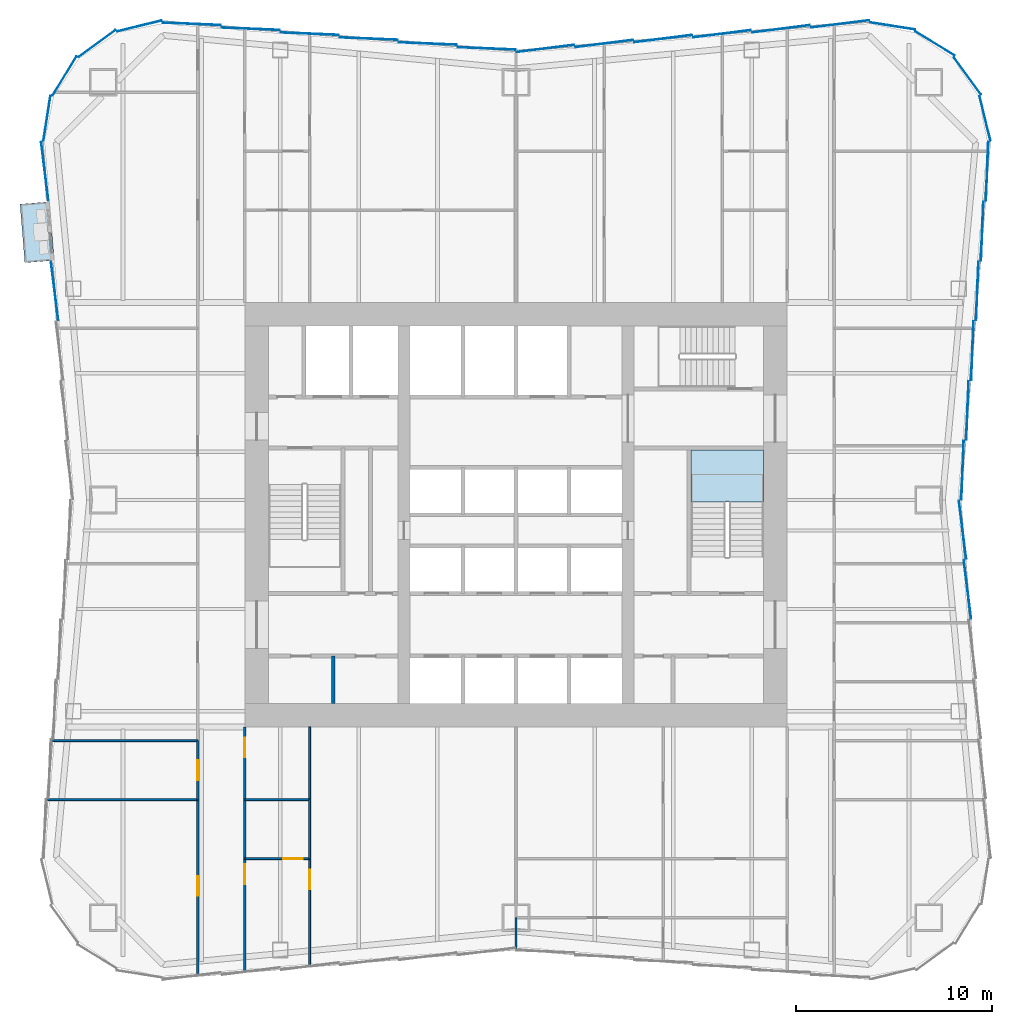
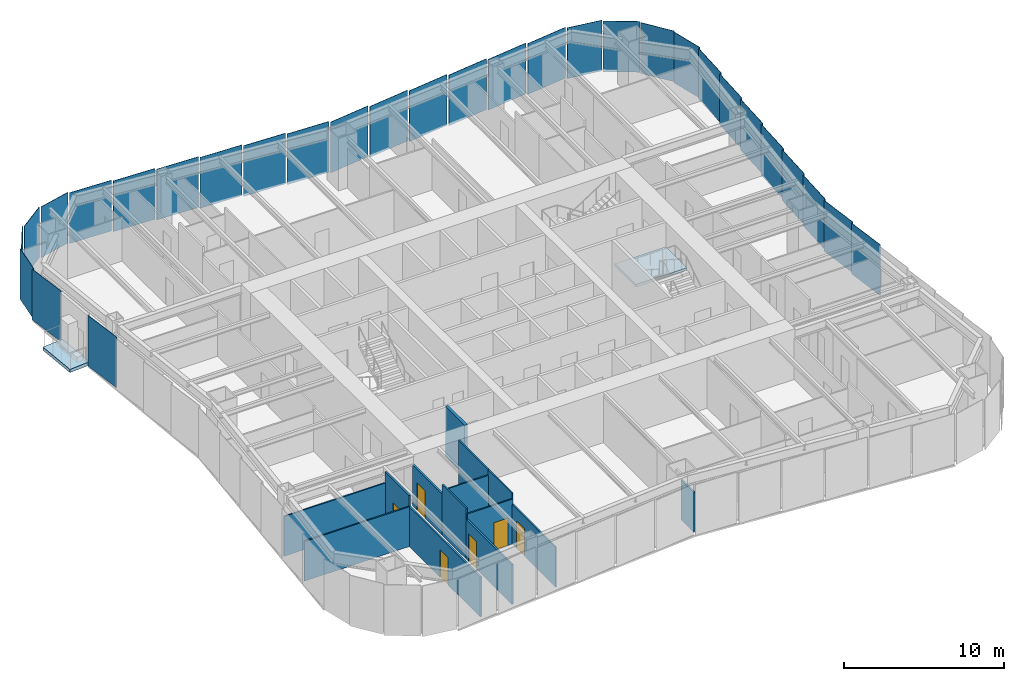
# One storey, part 3 of 9: 30 plates, 14 walls, 6 doors, 2 slabs, 6 openings, 6 elements without a shape of their own.
"""IFC4 building model written with IfcOpenShell, lengths in metres."""

from ifc_helpers import new_model, si_unit, direction, frame, frame_2d, origin, origin_2d, place, context, subcontext, project, spatial, polyline, rectangle, outline, extrude, material, layer, layer_set, type_object, element, fill, aggregate, save


model = new_model("IFC4")

# Units and contexts
model_context = context("Model", 3, precision=1e-05, world=origin(), true_north=direction((0.0, 1.0)))
body_context = subcontext(model_context, "Body", "Model", "MODEL_VIEW")
ifc_project = project(units=[si_unit("LENGTHUNIT", "METRE"), si_unit("AREAUNIT", "SQUARE_METRE"), si_unit("VOLUMEUNIT", "CUBIC_METRE"), si_unit("PLANEANGLEUNIT", "RADIAN"), si_unit("MASSUNIT", "GRAM", prefix="KILO")], contexts=[model_context])

# Site, building, storey
site_placement = place(None, origin())
site = spatial("IfcSite", under=ifc_project, at=site_placement, CompositionType="ELEMENT")
building_placement = place(site_placement, origin())
building = spatial("IfcBuilding", under=site, at=building_placement, Name="Verdant Reach Tower", CompositionType="ELEMENT")
storey_placement = place(building_placement, frame((0.0, 0.0, 90.0)))
storey = spatial("IfcBuildingStorey", under=building, at=storey_placement, Name="L20", CompositionType="ELEMENT", Elevation=90.0)

# Stair, slab
ifc_material_1 = material(Name="Concrete C40/50", Category="concrete")
stair_type = type_object("IfcStairType", Name="CO-STAIR", PredefinedType="HALF_TURN_STAIR", material=ifc_material_1)
stair_placement = place(storey_placement, origin())
stair = element("IfcStair", 1, at=stair_placement, inside=storey, type_object=stair_type, Name="L20 Exit stair 2", PredefinedType="HALF_TURN_STAIR")
ifc_layer_1 = layer(ifc_material_1, 0.199951171875)
ifc_layer_set_1 = layer_set([ifc_layer_1], Name="CO-STAIR-LANDING")
slab_type_1 = type_object("IfcSlabType", Name="CO-STAIR-LANDING", PredefinedType="LANDING", material=ifc_layer_set_1)
slab_1_placement = place(storey_placement, frame((0.0, 0.0, 1.800048828125)))
slab_1 = element("IfcSlab", 2, at=slab_1_placement, type_object=slab_type_1, Name="ST-2 landing 1", PredefinedType="LANDING", context=body_context, shape_type="SweptSolid", body=[
    extrude(outline(polyline([(12.60009765625, 28.64990234375), (12.60009765625, 31.300048828125), (8.89990234375, 31.300048828125), (8.89990234375, 28.64990234375), (12.60009765625, 28.64990234375)])), origin(), (0.0, 0.0, 1.0), 0.199951171875),
])
aggregate(stair, [slab_1])

# Slab
ifc_material_2 = material(Name="Concrete C35/45", Category="concrete")
ifc_layer_2 = layer(ifc_material_2, 0.25)
ifc_layer_set_2 = layer_set([ifc_layer_2], Name="EN-BALCONY SLAB")
slab_type_2 = type_object("IfcSlabType", Name="EN-BALCONY SLAB", PredefinedType="FLOOR", material=ifc_layer_set_2)
slab_2_placement = place(storey_placement, frame((0.0, 0.0, -0.25)))
element("IfcSlab", 3, at=slab_2_placement, inside=storey, type_object=slab_type_2, Name="Balcony slab 1, L20", PredefinedType="FLOOR", context=body_context, shape_type="SweptSolid", body=[
    extrude(outline(polyline([(-23.74755859375, 43.927490234375), (-23.50244140625, 40.947509765625), (-24.99755859375, 40.82470703125), (-25.242431640625, 43.804443359375), (-23.74755859375, 43.927490234375)])), origin(), (0.0, 0.0, 1.0), 0.25),
])

# Curtain wall, plates
ifc_material_3 = material(Name="Anodised aluminium", Category="aluminium")
curtain_wall_type = type_object("IfcCurtainWallType", Name="EN-CW SYSTEM Z1", PredefinedType="NOTDEFINED", material=ifc_material_3)
curtain_wall_1_placement = place(storey_placement, origin())
curtain_wall_1 = element("IfcCurtainWall", 4, at=curtain_wall_1_placement, inside=storey, type_object=curtain_wall_type, Name="Curtain wall east, L20", PredefinedType="NOTDEFINED")
ifc_material_4 = material(Name="Tinted glass with champagne spandrel", Category="glass")
ifc_layer_3 = layer(ifc_material_4, 0.031982421875)
ifc_layer_set_3 = layer_set([ifc_layer_3], Name="EN-PANEL CHAMPAGNE")
plate_type_1 = type_object("IfcPlateType", Name="EN-PANEL CHAMPAGNE", PredefinedType="CURTAIN_PANEL", material=ifc_layer_set_3)
plate_1_placement = place(storey_placement, frame((22.9775390625, 24.196044921875, -0.22802734375), z_axis=(0.0, 0.0, 1.0), x_axis=(-0.123578623975, 0.992334784081, 0.0)))
plate_1 = element("IfcPlate", 5, at=plate_1_placement, type_object=plate_type_1, Name="Glass panel east face part 1 5.1, L20", PredefinedType="CURTAIN_PANEL", context=body_context, shape_type="SweptSolid", body=[
    extrude(rectangle(XDim=2.993896484375, YDim=0.031982421875, at=origin_2d()), origin(), (0.0, 0.0, 1.0), 3.8779296875),
])
plate_2_placement = place(storey_placement, frame((22.727783203125, 27.2333984375, -0.22802734375), z_axis=(0.0, 0.0, 1.0), x_axis=(-0.123691487663, 0.992320722287, 0.0)))
plate_2 = element("IfcPlate", 6, at=plate_2_placement, type_object=plate_type_1, Name="Glass panel east face part 1 6.1, L20", PredefinedType="CURTAIN_PANEL", context=body_context, shape_type="SweptSolid", body=[
    extrude(rectangle(XDim=2.985595703125, YDim=0.031982421875, at=origin_2d()), origin(), (0.0, 0.0, 1.0), 3.8779296875),
])
plate_3_placement = place(storey_placement, frame((23.977783203125, 45.477783203125, -0.22802734375), z_axis=(0.0, 0.0, 1.0), x_axis=(0.039784239139, 0.999208293759, 0.0)))
plate_3 = element("IfcPlate", 7, at=plate_3_placement, type_object=plate_type_1, Name="Glass panel east face part 2 6.1, L20", PredefinedType="CURTAIN_PANEL", context=body_context, shape_type="SweptSolid", body=[
    extrude(rectangle(XDim=3.00830078125, YDim=0.031982421875, at=origin_2d()), origin(), (0.0, 0.0, 1.0), 3.8779296875),
])

curtain_wall_2_placement = place(storey_placement, origin())
curtain_wall_2 = element("IfcCurtainWall", 8, at=curtain_wall_2_placement, inside=storey, type_object=curtain_wall_type, Name="Curtain wall north, L20", PredefinedType="NOTDEFINED")
plate_4_placement = place(storey_placement, frame((10.491455078125, 52.4775390625, -0.22802734375), z_axis=(0.0, 0.0, 1.0), x_axis=(-0.992194034542, -0.124703639961, 0.0)))
plate_4 = element("IfcPlate", 9, at=plate_4_placement, type_object=plate_type_1, Name="Glass panel north face part 1 3.1, L20", PredefinedType="CURTAIN_PANEL", context=body_context, shape_type="SweptSolid", body=[
    extrude(rectangle(XDim=2.952392578125, YDim=0.031982421875, at=origin_2d()), origin(), (0.0, 0.0, 1.0), 3.8779296875),
])
plate_5_placement = place(storey_placement, frame((7.491455078125, 52.2275390625, -0.22802734375), z_axis=(0.0, 0.0, 1.0), x_axis=(-0.992194034542, -0.124703639961, 0.0)))
plate_5 = element("IfcPlate", 10, at=plate_5_placement, type_object=plate_type_1, Name="Glass panel north face part 1 4.1, L20", PredefinedType="CURTAIN_PANEL", context=body_context, shape_type="SweptSolid", body=[
    extrude(rectangle(XDim=2.952392578125, YDim=0.031982421875, at=origin_2d()), origin(), (0.0, 0.0, 1.0), 3.8779296875),
])
plate_6_placement = place(storey_placement, frame((-10.491455078125, 52.4775390625, -0.22802734375), z_axis=(0.0, 0.0, 1.0), x_axis=(-0.999149202059, 0.041241629766, 0.0)))
plate_6 = element("IfcPlate", 11, at=plate_6_placement, type_object=plate_type_1, Name="Glass panel north face part 2 4.1, L20", PredefinedType="CURTAIN_PANEL", context=body_context, shape_type="SweptSolid", body=[
    extrude(rectangle(XDim=2.952392578125, YDim=0.031982421875, at=origin_2d()), origin(), (0.0, 0.0, 1.0), 3.8779296875),
])
plate_7_placement = place(storey_placement, frame((-13.491455078125, 52.7275390625, -0.22802734375), z_axis=(0.0, 0.0, 1.0), x_axis=(-0.999149202059, 0.041241629766, 0.0)))
plate_7 = element("IfcPlate", 12, at=plate_7_placement, type_object=plate_type_1, Name="Glass panel north face part 2 5.1, L20", PredefinedType="CURTAIN_PANEL", context=body_context, shape_type="SweptSolid", body=[
    extrude(rectangle(XDim=2.952392578125, YDim=0.031982421875, at=origin_2d()), origin(), (0.0, 0.0, 1.0), 3.8779296875),
])
plate_8_placement = place(storey_placement, frame((-16.49853515625, 52.977783203125, -0.22802734375), z_axis=(0.0, 0.0, 1.0), x_axis=(-0.999162836679, 0.040909971885, 0.0)))
plate_8 = element("IfcPlate", 13, at=plate_8_placement, type_object=plate_type_1, Name="Glass panel north face part 2 6.1, L20", PredefinedType="CURTAIN_PANEL", context=body_context, shape_type="SweptSolid", body=[
    extrude(rectangle(XDim=2.966796875, YDim=0.031982421875, at=origin_2d()), origin(), (0.0, 0.0, 1.0), 3.8779296875),
])

curtain_wall_3_placement = place(storey_placement, origin())
curtain_wall_3 = element("IfcCurtainWall", 14, at=curtain_wall_3_placement, inside=storey, type_object=curtain_wall_type, Name="Curtain wall north-west corner, L20", PredefinedType="NOTDEFINED")
plate_9_placement = place(storey_placement, frame((-22.97705078125, 50.325439453125, -0.22802734375), z_axis=(0.0, 0.0, 1.0), x_axis=(-0.520291572248, -0.85398868836, 0.0)))
plate_9 = element("IfcPlate", 15, at=plate_9_placement, type_object=plate_type_1, Name="Glass panel north-west corner 3.1, L20", PredefinedType="CURTAIN_PANEL", context=body_context, shape_type="SweptSolid", body=[
    extrude(rectangle(XDim=2.3232421875, YDim=0.031982421875, at=origin_2d()), origin(), (0.0, 0.0, 1.0), 3.8779296875),
])
plate_10_placement = place(storey_placement, frame((-23.87060546875, 48.170654296875, -0.22802734375), z_axis=(0.0, 0.0, 1.0), x_axis=(-0.154247912016, -0.988032176419, 0.0)))
plate_10 = element("IfcPlate", 16, at=plate_10_placement, type_object=plate_type_1, Name="Glass panel north-west corner 4.1, L20", PredefinedType="CURTAIN_PANEL", context=body_context, shape_type="SweptSolid", body=[
    extrude(rectangle(XDim=2.3173828125, YDim=0.031982421875, at=origin_2d()), origin(), (0.0, 0.0, 1.0), 3.8779296875),
])

curtain_wall_4_placement = place(storey_placement, origin())
curtain_wall_4 = element("IfcCurtainWall", 17, at=curtain_wall_4_placement, inside=storey, type_object=curtain_wall_type, Name="Curtain wall west, L20", PredefinedType="NOTDEFINED")
plate_11_placement = place(storey_placement, frame((-23.977783203125, 45.477783203125, -0.22802734375), z_axis=(0.0, 0.0, 1.0), x_axis=(0.123256305275, -0.992374870304, 0.0)))
plate_11 = element("IfcPlate", 18, at=plate_11_placement, type_object=plate_type_1, Name="Glass panel west face part 1 1.1, L20", PredefinedType="CURTAIN_PANEL", context=body_context, shape_type="SweptSolid", body=[
    extrude(rectangle(XDim=3.00830078125, YDim=0.031982421875, at=origin_2d()), origin(), (0.0, 0.0, 1.0), 3.8779296875),
])
plate_12_placement = place(storey_placement, frame((-23.4775390625, 39.387451171875, -0.22802734375), z_axis=(0.0, 0.0, 1.0), x_axis=(0.123578623975, -0.992334784081, 0.0)))
plate_12 = element("IfcPlate", 19, at=plate_12_placement, type_object=plate_type_1, Name="Glass panel west face part 1 3.1, L20", PredefinedType="CURTAIN_PANEL", context=body_context, shape_type="SweptSolid", body=[
    extrude(rectangle(XDim=2.993896484375, YDim=0.031982421875, at=origin_2d()), origin(), (0.0, 0.0, 1.0), 3.8779296875),
])
aggregate(curtain_wall_4, [plate_11, plate_12])

# Plate
ifc_material_5 = material(Name="Tinted glass with copper spandrel", Category="glass")
ifc_layer_4 = layer(ifc_material_5, 0.031982421875)
ifc_layer_set_4 = layer_set([ifc_layer_4], Name="EN-PANEL COPPER")
plate_type_2 = type_object("IfcPlateType", Name="EN-PANEL COPPER", PredefinedType="CURTAIN_PANEL", material=ifc_layer_set_4)
plate_13_placement = place(storey_placement, frame((22.727783203125, 30.2666015625, -0.22802734375), z_axis=(0.0, 0.0, 1.0), x_axis=(0.040222426271, 0.99919075077, 0.0)))
plate_13 = element("IfcPlate", 20, at=plate_13_placement, type_object=plate_type_2, Name="Glass panel east face part 2 1.1, L20", PredefinedType="CURTAIN_PANEL", context=body_context, shape_type="SweptSolid", body=[
    extrude(rectangle(XDim=2.985595703125, YDim=0.031982421875, at=origin_2d()), origin(), (0.0, 0.0, 1.0), 3.8779296875),
])

plate_14_placement = place(storey_placement, frame((22.9775390625, 33.303955078125, -0.22802734375), z_axis=(0.0, 0.0, 1.0), x_axis=(0.040108781752, 0.999195319057, 0.0)))
plate_14 = element("IfcPlate", 21, at=plate_14_placement, type_object=plate_type_2, Name="Glass panel east face part 2 2.1, L20", PredefinedType="CURTAIN_PANEL", context=body_context, shape_type="SweptSolid", body=[
    extrude(rectangle(XDim=2.993896484375, YDim=0.031982421875, at=origin_2d()), origin(), (0.0, 0.0, 1.0), 3.8779296875),
])

plate_15_placement = place(storey_placement, frame((23.2275390625, 36.345703125, -0.22802734375), z_axis=(0.0, 0.0, 1.0), x_axis=(0.040108781752, 0.999195319057, 0.0)))
plate_15 = element("IfcPlate", 22, at=plate_15_placement, type_object=plate_type_2, Name="Glass panel east face part 2 3.1, L20", PredefinedType="CURTAIN_PANEL", context=body_context, shape_type="SweptSolid", body=[
    extrude(rectangle(XDim=2.993896484375, YDim=0.031982421875, at=origin_2d()), origin(), (0.0, 0.0, 1.0), 3.8779296875),
])

# Curtain wall, plate
curtain_wall_5_placement = place(storey_placement, origin())
curtain_wall_5 = element("IfcCurtainWall", 23, at=curtain_wall_5_placement, inside=storey, type_object=curtain_wall_type, Name="Curtain wall north-east corner, L20", PredefinedType="NOTDEFINED")
plate_16_placement = place(storey_placement, frame((23.87060546875, 48.170654296875, -0.22802734375), z_axis=(0.0, 0.0, 1.0), x_axis=(-0.236383344544, 0.971659875894, 0.0)))
plate_16 = element("IfcPlate", 24, at=plate_16_placement, type_object=plate_type_2, Name="Glass panel north-east corner 1.1, L20", PredefinedType="CURTAIN_PANEL", context=body_context, shape_type="SweptSolid", body=[
    extrude(rectangle(XDim=2.3173828125, YDim=0.031982421875, at=origin_2d()), origin(), (0.0, 0.0, 1.0), 3.8779296875),
])

# Plate
plate_17_placement = place(storey_placement, frame((4.491455078125, 51.9775390625, -0.22802734375), z_axis=(0.0, 0.0, 1.0), x_axis=(-0.992194034542, -0.124703639961, 0.0)))
plate_17 = element("IfcPlate", 25, at=plate_17_placement, type_object=plate_type_2, Name="Glass panel north face part 1 5.1, L20", PredefinedType="CURTAIN_PANEL", context=body_context, shape_type="SweptSolid", body=[
    extrude(rectangle(XDim=2.952392578125, YDim=0.031982421875, at=origin_2d()), origin(), (0.0, 0.0, 1.0), 3.8779296875),
])

plate_18_placement = place(storey_placement, frame((1.49560546875, 51.727783203125, -0.22802734375), z_axis=(0.0, 0.0, 1.0), x_axis=(-0.992179247355, -0.124821236644, 0.0)))
plate_18 = element("IfcPlate", 26, at=plate_18_placement, type_object=plate_type_2, Name="Glass panel north face part 1 6.1, L20", PredefinedType="CURTAIN_PANEL", context=body_context, shape_type="SweptSolid", body=[
    extrude(rectangle(XDim=2.94384765625, YDim=0.031982421875, at=origin_2d()), origin(), (0.0, 0.0, 1.0), 3.8779296875),
])

plate_19_placement = place(storey_placement, frame((-1.49560546875, 51.727783203125, -0.22802734375), z_axis=(0.0, 0.0, 1.0), x_axis=(-0.99914430697, 0.041360051381, 0.0)))
plate_19 = element("IfcPlate", 27, at=plate_19_placement, type_object=plate_type_2, Name="Glass panel north face part 2 1.1, L20", PredefinedType="CURTAIN_PANEL", context=body_context, shape_type="SweptSolid", body=[
    extrude(rectangle(XDim=2.94384765625, YDim=0.031982421875, at=origin_2d()), origin(), (0.0, 0.0, 1.0), 3.8779296875),
])

ifc_material_6 = material(Name="Tinted glass with dark bronze spandrel", Category="glass")
ifc_layer_5 = layer(ifc_material_6, 0.031982421875)
ifc_layer_set_5 = layer_set([ifc_layer_5], Name="EN-PANEL DARK")
plate_type_3 = type_object("IfcPlateType", Name="EN-PANEL DARK", PredefinedType="CURTAIN_PANEL", material=ifc_layer_set_5)
plate_20_placement = place(storey_placement, frame((23.4775390625, 39.387451171875, -0.22802734375), z_axis=(0.0, 0.0, 1.0), x_axis=(0.040108781752, 0.999195319057, 0.0)))
plate_20 = element("IfcPlate", 28, at=plate_20_placement, type_object=plate_type_3, Name="Glass panel east face part 2 4.1, L20", PredefinedType="CURTAIN_PANEL", context=body_context, shape_type="SweptSolid", body=[
    extrude(rectangle(XDim=2.993896484375, YDim=0.031982421875, at=origin_2d()), origin(), (0.0, 0.0, 1.0), 3.8779296875),
])

plate_21_placement = place(storey_placement, frame((23.7275390625, 42.428955078125, -0.22802734375), z_axis=(0.0, 0.0, 1.0), x_axis=(0.040108781752, 0.999195319057, 0.0)))
plate_21 = element("IfcPlate", 29, at=plate_21_placement, type_object=plate_type_3, Name="Glass panel east face part 2 5.1, L20", PredefinedType="CURTAIN_PANEL", context=body_context, shape_type="SweptSolid", body=[
    extrude(rectangle(XDim=2.993896484375, YDim=0.031982421875, at=origin_2d()), origin(), (0.0, 0.0, 1.0), 3.8779296875),
])

aggregate(curtain_wall_1, [plate_1, plate_2, plate_13, plate_14, plate_15, plate_20, plate_21, plate_3])

plate_22_placement = place(storey_placement, frame((22.97705078125, 50.325439453125, -0.22802734375), z_axis=(0.0, 0.0, 1.0), x_axis=(-0.589926768145, 0.807456753161, 0.0)))
plate_22 = element("IfcPlate", 30, at=plate_22_placement, type_object=plate_type_3, Name="Glass panel north-east corner 2.1, L20", PredefinedType="CURTAIN_PANEL", context=body_context, shape_type="SweptSolid", body=[
    extrude(rectangle(XDim=2.3232421875, YDim=0.031982421875, at=origin_2d()), origin(), (0.0, 0.0, 1.0), 3.8779296875),
])

plate_23_placement = place(storey_placement, frame((21.325439453125, 51.97705078125, -0.22802734375), z_axis=(0.0, 0.0, 1.0), x_axis=(-0.85398868836, 0.520291572248, 0.0)))
plate_23 = element("IfcPlate", 31, at=plate_23_placement, type_object=plate_type_3, Name="Glass panel north-east corner 3.1, L20", PredefinedType="CURTAIN_PANEL", context=body_context, shape_type="SweptSolid", body=[
    extrude(rectangle(XDim=2.3232421875, YDim=0.031982421875, at=origin_2d()), origin(), (0.0, 0.0, 1.0), 3.8779296875),
])

plate_24_placement = place(storey_placement, frame((19.170654296875, 52.87060546875, -0.22802734375), z_axis=(0.0, 0.0, 1.0), x_axis=(-0.988032704995, 0.154244526195, 0.0)))
plate_24 = element("IfcPlate", 32, at=plate_24_placement, type_object=plate_type_3, Name="Glass panel north-east corner 4.1, L20", PredefinedType="CURTAIN_PANEL", context=body_context, shape_type="SweptSolid", body=[
    extrude(rectangle(XDim=2.317626953125, YDim=0.031982421875, at=origin_2d()), origin(), (0.0, 0.0, 1.0), 3.8779296875),
])

aggregate(curtain_wall_5, [plate_16, plate_22, plate_23, plate_24])

plate_25_placement = place(storey_placement, frame((16.49853515625, 52.977783203125, -0.22802734375), z_axis=(0.0, 0.0, 1.0), x_axis=(-0.99223537376, -0.124374286167, 0.0)))
plate_25 = element("IfcPlate", 33, at=plate_25_placement, type_object=plate_type_3, Name="Glass panel north face part 1 1.1, L20", PredefinedType="CURTAIN_PANEL", context=body_context, shape_type="SweptSolid", body=[
    extrude(rectangle(XDim=2.966796875, YDim=0.031982421875, at=origin_2d()), origin(), (0.0, 0.0, 1.0), 3.8779296875),
])

plate_26_placement = place(storey_placement, frame((13.491455078125, 52.7275390625, -0.22802734375), z_axis=(0.0, 0.0, 1.0), x_axis=(-0.992194034542, -0.124703639961, 0.0)))
plate_26 = element("IfcPlate", 34, at=plate_26_placement, type_object=plate_type_3, Name="Glass panel north face part 1 2.1, L20", PredefinedType="CURTAIN_PANEL", context=body_context, shape_type="SweptSolid", body=[
    extrude(rectangle(XDim=2.952392578125, YDim=0.031982421875, at=origin_2d()), origin(), (0.0, 0.0, 1.0), 3.8779296875),
])

plate_27_placement = place(storey_placement, frame((-4.491455078125, 51.9775390625, -0.22802734375), z_axis=(0.0, 0.0, 1.0), x_axis=(-0.999149202059, 0.041241629766, 0.0)))
plate_27 = element("IfcPlate", 35, at=plate_27_placement, type_object=plate_type_3, Name="Glass panel north face part 2 2.1, L20", PredefinedType="CURTAIN_PANEL", context=body_context, shape_type="SweptSolid", body=[
    extrude(rectangle(XDim=2.952392578125, YDim=0.031982421875, at=origin_2d()), origin(), (0.0, 0.0, 1.0), 3.8779296875),
])

plate_28_placement = place(storey_placement, frame((-7.491455078125, 52.2275390625, -0.22802734375), z_axis=(0.0, 0.0, 1.0), x_axis=(-0.999149202059, 0.041241629766, 0.0)))
plate_28 = element("IfcPlate", 36, at=plate_28_placement, type_object=plate_type_3, Name="Glass panel north face part 2 3.1, L20", PredefinedType="CURTAIN_PANEL", context=body_context, shape_type="SweptSolid", body=[
    extrude(rectangle(XDim=2.952392578125, YDim=0.031982421875, at=origin_2d()), origin(), (0.0, 0.0, 1.0), 3.8779296875),
])

aggregate(curtain_wall_2, [plate_25, plate_26, plate_4, plate_5, plate_17, plate_18, plate_19, plate_27, plate_28, plate_6, plate_7, plate_8])

plate_29_placement = place(storey_placement, frame((-19.170654296875, 52.87060546875, -0.22802734375), z_axis=(0.0, 0.0, 1.0), x_axis=(-0.971660685934, -0.236380014828, 0.0)))
plate_29 = element("IfcPlate", 37, at=plate_29_placement, type_object=plate_type_3, Name="Glass panel north-west corner 1.1, L20", PredefinedType="CURTAIN_PANEL", context=body_context, shape_type="SweptSolid", body=[
    extrude(rectangle(XDim=2.317626953125, YDim=0.031982421875, at=origin_2d()), origin(), (0.0, 0.0, 1.0), 3.8779296875),
])

plate_30_placement = place(storey_placement, frame((-21.325439453125, 51.97705078125, -0.22802734375), z_axis=(0.0, 0.0, 1.0), x_axis=(-0.807456753161, -0.589926768145, 0.0)))
plate_30 = element("IfcPlate", 38, at=plate_30_placement, type_object=plate_type_3, Name="Glass panel north-west corner 2.1, L20", PredefinedType="CURTAIN_PANEL", context=body_context, shape_type="SweptSolid", body=[
    extrude(rectangle(XDim=2.3232421875, YDim=0.031982421875, at=origin_2d()), origin(), (0.0, 0.0, 1.0), 3.8779296875),
])

aggregate(curtain_wall_3, [plate_29, plate_30, plate_9, plate_10])

# Walls
ifc_material_7 = material(Name="Gypsum board on steel studs", Category="steel")
ifc_layer_6 = layer(ifc_material_7, 0.199951171875)
ifc_layer_set_6 = layer_set([ifc_layer_6], Name="CO-WALL-ROOM")
wall_type_1 = type_object("IfcWallType", Name="CO-WALL-ROOM", PredefinedType="PARTITIONING", material=ifc_layer_set_6)
wall_1_placement = place(storey_placement, frame((-9.300048828125, 18.39990234375, 0.0), z_axis=(0.0, 0.0, 1.0), x_axis=(0.0, 1.0, 0.0)))
element("IfcWall", 39, at=wall_1_placement, inside=storey, type_object=wall_type_1, Name="Core partition, L20", PredefinedType="PARTITIONING", context=body_context, shape_type="SweptSolid", body=[
    extrude(rectangle(XDim=2.400146484375, YDim=0.199951171875, at=frame_2d((1.2001953125, 0.0))), origin(), (0.0, 0.0, 1.0), 3.8701171875),
])
ifc_layer_7 = layer(ifc_material_7, 0.10009765625)
ifc_layer_set_7 = layer_set([ifc_layer_7], Name="FL-W1 Partition 100")
wall_type_2 = type_object("IfcWallType", Name="FL-W1 Partition 100", PredefinedType="PARTITIONING", material=ifc_layer_set_7)
wall_2_placement = place(storey_placement, frame((-16.199951171875, 13.5, 0.0), z_axis=(0.0, 0.0, 1.0), x_axis=(-1.0, 0.0, 0.0)))
element("IfcWall", 40, at=wall_2_placement, inside=storey, type_object=wall_type_2, Name="Partition 20.28", PredefinedType="PARTITIONING", context=body_context, shape_type="SweptSolid", body=[
    extrude(rectangle(XDim=7.633544921875, YDim=0.10009765625, at=frame_2d((3.81689453125, 0.0))), origin(), (0.0, 0.0, 1.0), 3.0400390625),
])
wall_3_placement = place(storey_placement, frame((-16.199951171875, 16.5, 0.0), z_axis=(0.0, 0.0, 1.0), x_axis=(-1.0, 0.0, 0.0)))
element("IfcWall", 41, at=wall_3_placement, inside=storey, type_object=wall_type_2, Name="Partition 20.29", PredefinedType="PARTITIONING", context=body_context, shape_type="SweptSolid", body=[
    extrude(rectangle(XDim=7.386962890625, YDim=0.10009765625, at=frame_2d((3.693359375, 0.0))), origin(), (0.0, 0.0, 1.0), 3.0400390625),
])

# Wall, opening, door
wall_4_placement = place(storey_placement, frame((-13.800048828125, 10.5, 0.0), z_axis=(0.0, 0.0, 1.0), x_axis=(1.0, 0.0, 0.0)))
wall_4 = element("IfcWall", 42, at=wall_4_placement, inside=storey, type_object=wall_type_2, Name="Partition 20.41", PredefinedType="PARTITIONING", context=body_context, shape_type="SweptSolid", body=[
    extrude(rectangle(XDim=3.300048828125, YDim=0.10009765625, at=frame_2d((1.64990234375, 0.0))), origin(), (0.0, 0.0, 1.0), 3.43994140625),
])
opening_1_placement = place(wall_4_placement, frame((1.949951171875, 0.0, 0.0)))
opening_1 = element("IfcOpeningElement", 43, at=opening_1_placement, cuts=wall_4, Name="Opening D3", PredefinedType="OPENING", context=body_context, shape_type="SweptSolid", body=[
    extrude(rectangle(XDim=1.0, YDim=2.10009765625, at=frame_2d((0.5, 1.050048828125))), frame((0.0, 0.06005859375, 0.0), z_axis=(0.0, -1.0, 0.0), x_axis=(1.0, 0.0, 0.0)), (0.0, 0.0, 1.0), 0.1201171875),
])
ifc_material_8 = material(Name="Painted timber door leaf", Category="wood")
door_type_1 = type_object("IfcDoorType", Name="FL-D3 Door 1000x2100", OperationType="NOTDEFINED", PredefinedType="DOOR", material=ifc_material_8)
door_1_placement = place(opening_1_placement, origin())
door_1 = element("IfcDoor", 44, at=door_1_placement, inside=storey, type_object=door_type_1, Name="Door 20-023", OperationType="SINGLE_SWING_RIGHT", OverallHeight=2.10009765625, OverallWidth=1.0, PredefinedType="DOOR", context=body_context, shape_type="SweptSolid", body=[
    extrude(rectangle(XDim=1.0, YDim=2.10009765625, at=frame_2d((0.5, 1.050048828125))), frame((0.0, 0.02490234375, 0.0), z_axis=(0.0, -1.0, 0.0), x_axis=(1.0, 0.0, 0.0)), (0.0, 0.0, 1.0), 0.050048828125),
])
fill(opening_1, door_1)

wall_5_placement = place(storey_placement, frame((-10.5, 10.50390625, 0.0), z_axis=(0.0, 0.0, 1.0), x_axis=(0.0, -1.0, 0.0)))
wall_5 = element("IfcWall", 45, at=wall_5_placement, inside=storey, type_object=wall_type_2, Name="Partition 20.42", PredefinedType="PARTITIONING", context=body_context, shape_type="SweptSolid", body=[
    extrude(rectangle(XDim=5.458984375, YDim=0.10009765625, at=frame_2d((2.7294921875, 0.0))), origin(), (0.0, 0.0, 1.0), 3.0400390625),
])
opening_2_placement = place(wall_5_placement, frame((0.564453125, 0.0, 0.0)))
opening_2 = element("IfcOpeningElement", 46, at=opening_2_placement, cuts=wall_5, Name="Opening D3", PredefinedType="OPENING", context=body_context, shape_type="SweptSolid", body=[
    extrude(rectangle(XDim=1.0, YDim=2.10009765625, at=frame_2d((0.5, 1.050048828125))), frame((0.0, 0.06005859375, 0.0), z_axis=(0.0, -1.0, 0.0), x_axis=(1.0, 0.0, 0.0)), (0.0, 0.0, 1.0), 0.1201171875),
])
door_2_placement = place(opening_2_placement, origin())
door_2 = element("IfcDoor", 47, at=door_2_placement, inside=storey, type_object=door_type_1, Name="Door 20-024", OperationType="SINGLE_SWING_LEFT", OverallHeight=2.10009765625, OverallWidth=1.0, PredefinedType="DOOR", context=body_context, shape_type="SweptSolid", body=[
    extrude(rectangle(XDim=1.0, YDim=2.10009765625, at=frame_2d((0.5, 1.050048828125))), frame((0.0, 0.02490234375, 0.0), z_axis=(0.0, -1.0, 0.0), x_axis=(1.0, 0.0, 0.0)), (0.0, 0.0, 1.0), 0.050048828125),
])
fill(opening_2, door_2)

# Walls
wall_6_placement = place(storey_placement, frame((-10.5, 13.5, 0.0), z_axis=(0.0, 0.0, 1.0), x_axis=(-1.0, 0.0, 0.0)))
element("IfcWall", 48, at=wall_6_placement, inside=storey, type_object=wall_type_2, Name="Partition 20.43", PredefinedType="PARTITIONING", context=body_context, shape_type="SweptSolid", body=[
    extrude(rectangle(XDim=3.300048828125, YDim=0.10009765625, at=frame_2d((1.64990234375, 0.0))), origin(), (0.0, 0.0, 1.0), 3.43994140625),
])
wall_7_placement = place(storey_placement, frame((-10.5, 10.49609375, 0.0), z_axis=(0.0, 0.0, 1.0), x_axis=(0.0, 1.0, 0.0)))
element("IfcWall", 49, at=wall_7_placement, inside=storey, type_object=wall_type_2, Name="Partition 20.44", PredefinedType="PARTITIONING", context=body_context, shape_type="SweptSolid", body=[
    extrude(rectangle(XDim=3.0078125, YDim=0.10009765625, at=frame_2d((1.50390625, 0.0))), origin(), (0.0, 0.0, 1.0), 3.8701171875),
])
wall_8_placement = place(storey_placement, frame((-10.5, 13.49609375, 0.0), z_axis=(0.0, 0.0, 1.0), x_axis=(0.0, 1.0, 0.0)))
element("IfcWall", 50, at=wall_8_placement, inside=storey, type_object=wall_type_2, Name="Partition 20.45", PredefinedType="PARTITIONING", context=body_context, shape_type="SweptSolid", body=[
    extrude(rectangle(XDim=3.703857421875, YDim=0.10009765625, at=frame_2d((1.85205078125, 0.0))), origin(), (0.0, 0.0, 1.0), 3.8701171875),
])
wall_9_placement = place(storey_placement, frame((0.0, 5.919921875, 0.0), z_axis=(0.0, 0.0, 1.0), x_axis=(0.0, 1.0, 0.0)))
element("IfcWall", 51, at=wall_9_placement, inside=storey, type_object=wall_type_2, Name="Partition 20.46", PredefinedType="PARTITIONING", context=body_context, shape_type="SweptSolid", body=[
    extrude(rectangle(XDim=1.580078125, YDim=0.10009765625, at=frame_2d((0.7900390625, 0.0))), origin(), (0.0, 0.0, 1.0), 3.0400390625),
])

# Wall, opening, door
ifc_material_9 = material(Name="Gypsum board on steel studs, fire rated", Category="steel")
ifc_layer_8 = layer(ifc_material_9, 0.125)
ifc_layer_set_8 = layer_set([ifc_layer_8], Name="FL-W2 Corridor wall 125")
wall_type_3 = type_object("IfcWallType", Name="FL-W2 Corridor wall 125", PredefinedType="PARTITIONING", material=ifc_layer_set_8)
wall_10_placement = place(storey_placement, frame((-16.199951171875, 4.570068359375, 0.0), z_axis=(0.0, 0.0, 1.0), x_axis=(0.0, 1.0, 0.0)))
wall_10 = element("IfcWall", 52, at=wall_10_placement, inside=storey, type_object=wall_type_3, Name="Partition 20.01", PredefinedType="PARTITIONING", context=body_context, shape_type="SweptSolid", body=[
    extrude(rectangle(XDim=8.929931640625, YDim=0.125, at=frame_2d((4.46484375, 0.0))), origin(), (0.0, 0.0, 1.0), 3.0400390625),
])
opening_3_placement = place(wall_10_placement, frame((4.030029296875, 0.0, 0.0)))
opening_3 = element("IfcOpeningElement", 53, at=opening_3_placement, cuts=wall_10, Name="Opening D2", PredefinedType="OPENING", context=body_context, shape_type="SweptSolid", body=[
    extrude(rectangle(XDim=1.0, YDim=2.10009765625, at=frame_2d((0.5, 1.050048828125))), frame((0.0, 0.072509765625, 0.0), z_axis=(0.0, -1.0, 0.0), x_axis=(1.0, 0.0, 0.0)), (0.0, 0.0, 1.0), 0.14501953125),
])
ifc_material_10 = material(Name="Timber door leaf, fire rated", Category="wood")
door_type_2 = type_object("IfcDoorType", Name="FL-D2 Entrance door 1000x2100 FD30", OperationType="NOTDEFINED", PredefinedType="DOOR", material=ifc_material_10)
door_3_placement = place(opening_3_placement, origin())
door_3 = element("IfcDoor", 54, at=door_3_placement, inside=storey, type_object=door_type_2, Name="Door 20-001", OperationType="SINGLE_SWING_RIGHT", OverallHeight=2.10009765625, OverallWidth=1.0, PredefinedType="DOOR", context=body_context, shape_type="SweptSolid", body=[
    extrude(rectangle(XDim=1.0, YDim=2.10009765625, at=frame_2d((0.5, 1.050048828125))), frame((0.0, 0.02490234375, 0.0), z_axis=(0.0, -1.0, 0.0), x_axis=(1.0, 0.0, 0.0)), (0.0, 0.0, 1.0), 0.050048828125),
])
fill(opening_3, door_3)

wall_11_placement = place(storey_placement, frame((-16.199951171875, 13.5, 0.0), z_axis=(0.0, 0.0, 1.0), x_axis=(0.0, 1.0, 0.0)))
wall_11 = element("IfcWall", 55, at=wall_11_placement, inside=storey, type_object=wall_type_3, Name="Partition 20.02", PredefinedType="PARTITIONING", context=body_context, shape_type="SweptSolid", body=[
    extrude(rectangle(XDim=3.0, YDim=0.125, at=frame_2d((1.5, 0.0))), origin(), (0.0, 0.0, 1.0), 3.8701171875),
])
opening_4_placement = place(wall_11_placement, frame((1.0, 0.0, 0.0)))
opening_4 = element("IfcOpeningElement", 56, at=opening_4_placement, cuts=wall_11, Name="Opening D2", PredefinedType="OPENING", context=body_context, shape_type="SweptSolid", body=[
    extrude(rectangle(XDim=1.0, YDim=2.10009765625, at=frame_2d((0.5, 1.050048828125))), frame((0.0, 0.072509765625, 0.0), z_axis=(0.0, -1.0, 0.0), x_axis=(1.0, 0.0, 0.0)), (0.0, 0.0, 1.0), 0.14501953125),
])
door_4_placement = place(opening_4_placement, origin())
door_4 = element("IfcDoor", 57, at=door_4_placement, inside=storey, type_object=door_type_2, Name="Door 20-002", OperationType="SINGLE_SWING_RIGHT", OverallHeight=2.10009765625, OverallWidth=1.0, PredefinedType="DOOR", context=body_context, shape_type="SweptSolid", body=[
    extrude(rectangle(XDim=1.0, YDim=2.10009765625, at=frame_2d((0.5, 1.050048828125))), frame((0.0, 0.02490234375, 0.0), z_axis=(0.0, -1.0, 0.0), x_axis=(1.0, 0.0, 0.0)), (0.0, 0.0, 1.0), 0.050048828125),
])
fill(opening_4, door_4)

wall_12_placement = place(storey_placement, frame((-13.800048828125, 10.5, 0.0), z_axis=(0.0, 0.0, 1.0), x_axis=(0.0, -1.0, 0.0)))
wall_12 = element("IfcWall", 58, at=wall_12_placement, inside=storey, type_object=wall_type_3, Name="Partition 20.07", PredefinedType="PARTITIONING", context=body_context, shape_type="SweptSolid", body=[
    extrude(rectangle(XDim=5.72998046875, YDim=0.125, at=frame_2d((2.864990234375, 0.0))), origin(), (0.0, 0.0, 1.0), 3.0400390625),
])
opening_5_placement = place(wall_12_placement, frame((0.2998046875, 0.0, 0.0)))
opening_5 = element("IfcOpeningElement", 59, at=opening_5_placement, cuts=wall_12, Name="Opening D2", PredefinedType="OPENING", context=body_context, shape_type="SweptSolid", body=[
    extrude(rectangle(XDim=1.0, YDim=2.10009765625, at=frame_2d((0.5, 1.050048828125))), frame((0.0, 0.072509765625, 0.0), z_axis=(0.0, -1.0, 0.0), x_axis=(1.0, 0.0, 0.0)), (0.0, 0.0, 1.0), 0.14501953125),
])
door_5_placement = place(opening_5_placement, origin())
door_5 = element("IfcDoor", 60, at=door_5_placement, inside=storey, type_object=door_type_2, Name="Door 20-007", OperationType="SINGLE_SWING_LEFT", OverallHeight=2.10009765625, OverallWidth=1.0, PredefinedType="DOOR", context=body_context, shape_type="SweptSolid", body=[
    extrude(rectangle(XDim=1.0, YDim=2.10009765625, at=frame_2d((0.5, 1.050048828125))), frame((0.0, 0.02490234375, 0.0), z_axis=(0.0, -1.0, 0.0), x_axis=(1.0, 0.0, 0.0)), (0.0, 0.0, 1.0), 0.050048828125),
])
fill(opening_5, door_5)

# Wall
wall_13_placement = place(storey_placement, frame((-13.800048828125, 10.5, 0.0), z_axis=(0.0, 0.0, 1.0), x_axis=(0.0, 1.0, 0.0)))
element("IfcWall", 61, at=wall_13_placement, inside=storey, type_object=wall_type_3, Name="Partition 20.08", PredefinedType="PARTITIONING", context=body_context, shape_type="SweptSolid", body=[
    extrude(rectangle(XDim=3.0, YDim=0.125, at=frame_2d((1.5, 0.0))), origin(), (0.0, 0.0, 1.0), 3.8701171875),
])

# Wall, opening, door
wall_14_placement = place(storey_placement, frame((-13.800048828125, 17.199951171875, 0.0), z_axis=(0.0, 0.0, 1.0), x_axis=(0.0, -1.0, 0.0)))
wall_14 = element("IfcWall", 62, at=wall_14_placement, inside=storey, type_object=wall_type_3, Name="Partition 20.09", PredefinedType="PARTITIONING", context=body_context, shape_type="SweptSolid", body=[
    extrude(rectangle(XDim=3.699951171875, YDim=0.125, at=frame_2d((1.85009765625, 0.0))), origin(), (0.0, 0.0, 1.0), 3.139892578125),
])
opening_6_placement = place(wall_14_placement, frame((0.550048828125, 0.0, 0.0)))
opening_6 = element("IfcOpeningElement", 63, at=opening_6_placement, cuts=wall_14, Name="Opening D2", PredefinedType="OPENING", context=body_context, shape_type="SweptSolid", body=[
    extrude(rectangle(XDim=1.0, YDim=2.10009765625, at=frame_2d((0.5, 1.050048828125))), frame((0.0, 0.072509765625, 0.0), z_axis=(0.0, -1.0, 0.0), x_axis=(1.0, 0.0, 0.0)), (0.0, 0.0, 1.0), 0.14501953125),
])
door_6_placement = place(opening_6_placement, origin())
door_6 = element("IfcDoor", 64, at=door_6_placement, inside=storey, type_object=door_type_2, Name="Door 20-008", OperationType="SINGLE_SWING_LEFT", OverallHeight=2.10009765625, OverallWidth=1.0, PredefinedType="DOOR", context=body_context, shape_type="SweptSolid", body=[
    extrude(rectangle(XDim=1.0, YDim=2.10009765625, at=frame_2d((0.5, 1.050048828125))), frame((0.0, 0.02490234375, 0.0), z_axis=(0.0, -1.0, 0.0), x_axis=(1.0, 0.0, 0.0)), (0.0, 0.0, 1.0), 0.050048828125),
])
fill(opening_6, door_6)

save(model, "model.ifc")
